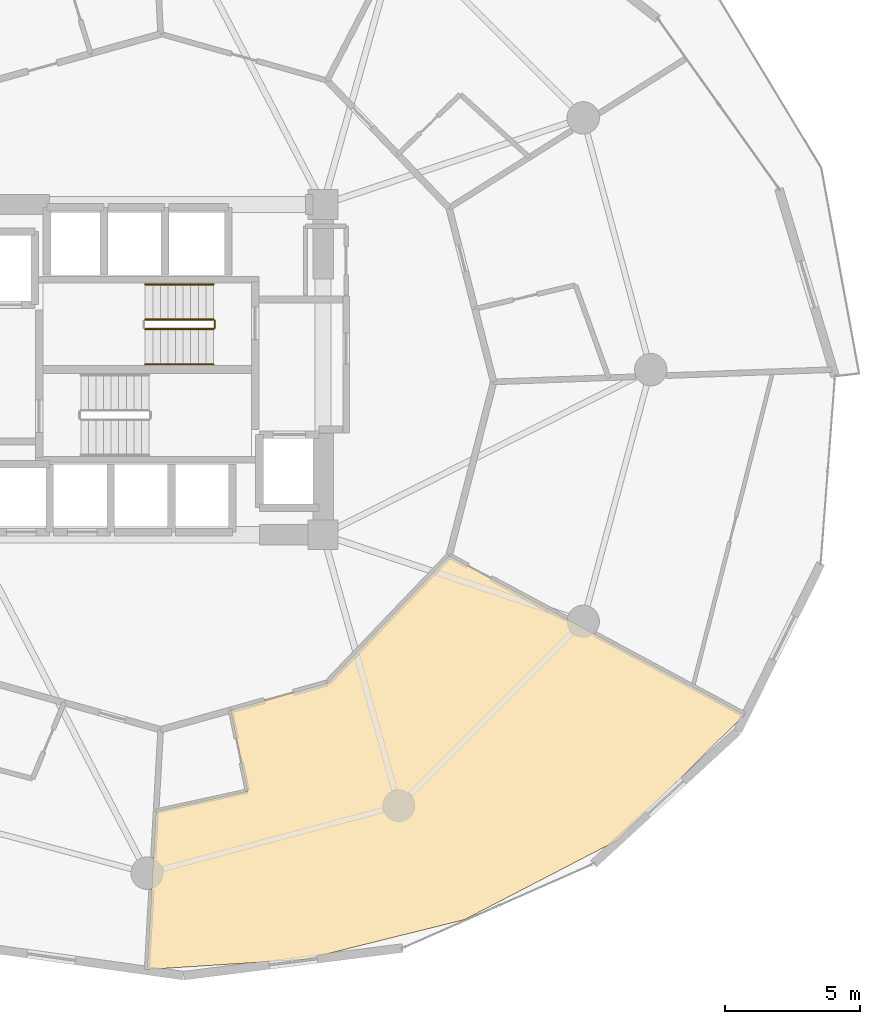
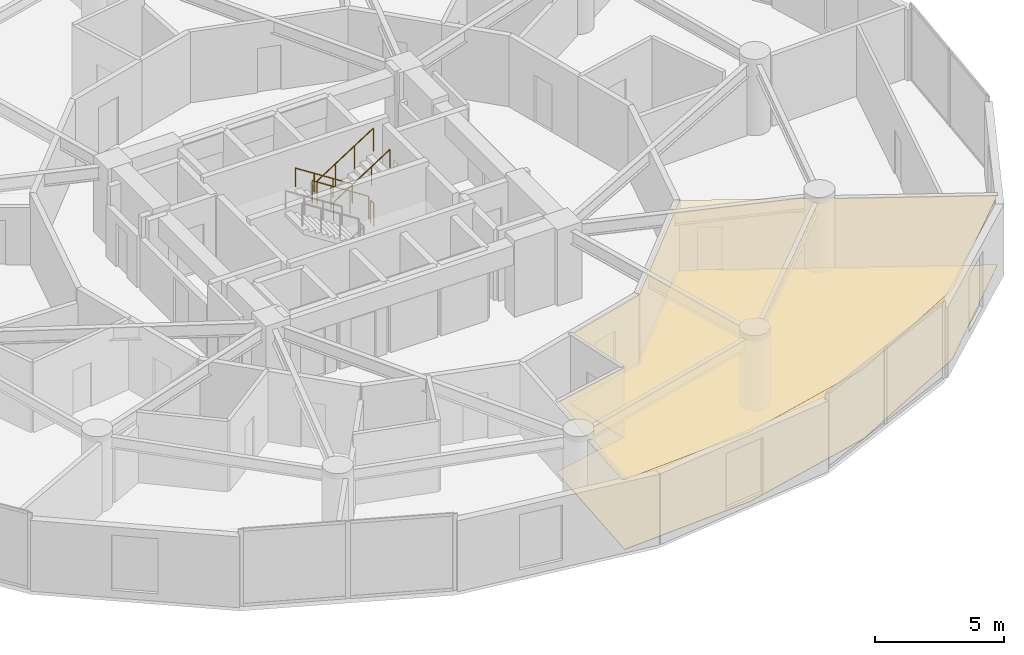
# One storey, part 24 of 25: 5 railings, 2 coverings.
"""IFC4 building model written with IfcOpenShell, lengths in metres."""

from ifc_helpers import new_model, si_unit, direction, frame, origin, origin_2d, place, context, subcontext, project, spatial, polyline, circle, outline, extrude, material, layer, layer_set, type_object, element, save


model = new_model("IFC4")

# Units and contexts
model_context = context("Model", 3, precision=1e-05, world=origin(), true_north=direction((0.0, 1.0)))
body_context = subcontext(model_context, "Body", "Model", "MODEL_VIEW")
ifc_project = project(units=[si_unit("LENGTHUNIT", "METRE"), si_unit("AREAUNIT", "SQUARE_METRE"), si_unit("VOLUMEUNIT", "CUBIC_METRE"), si_unit("PLANEANGLEUNIT", "RADIAN"), si_unit("MASSUNIT", "GRAM", prefix="KILO")], contexts=[model_context])

# Site, building, storey
site_placement = place(None, origin())
site = spatial("IfcSite", under=ifc_project, at=site_placement, CompositionType="ELEMENT")
building_placement = place(site_placement, origin())
building = spatial("IfcBuilding", under=site, at=building_placement, Name="Solvirekh Grand Hotel", CompositionType="ELEMENT")
storey_placement = place(building_placement, frame((0.0, 0.0, 60.800048828125)))
storey = spatial("IfcBuildingStorey", under=building, at=storey_placement, Name="L14", CompositionType="ELEMENT", Elevation=60.800048828125)

# Coverings
ifc_material_1 = material(Name="Acoustic Mineral Ceiling Tile")
ifc_layer_1 = layer(ifc_material_1, 0.02490234375)
ifc_layer_set_1 = layer_set([ifc_layer_1], Name="Acoustic Mineral Ceiling Tile")
covering_type_1 = type_object("IfcCoveringType", Name="Cov_Ceiling_Acoustic", PredefinedType="CEILING", material=ifc_layer_set_1)
covering_1_placement = place(storey_placement, frame((0.0, 0.0, 3.2900390625)))
element("IfcCovering", 1, at=covering_1_placement, inside=storey, type_object=covering_type_1, Name="L14 Diplomatic Suite 1605 Living Room acoustic ceiling", PredefinedType="CEILING", context=body_context, shape_type="SweptSolid", body=[
    extrude(outline(polyline([(3.708984375, -15.571044921875), (0.330078125, -16.31103515625), (0.0, -22.156005859375), (5.8359375, -21.781005859375), (11.72705078125, -20.31298828125), (17.3798828125, -17.3798828125), (22.071044921875, -12.742919921875), (11.152099609375, -6.875), (6.64990234375, -11.577880859375), (3.0830078125, -12.576904296875), (3.708984375, -15.571044921875)])), origin(), (0.0, 0.0, 1.0), 0.017822265625),
])
ifc_material_2 = material(Name="Porcelain Stoneware Flooring", Category="masonry")
ifc_layer_2 = layer(ifc_material_2, 0.030029296875)
ifc_layer_set_2 = layer_set([ifc_layer_2], Name="Porcelain Stoneware Flooring")
covering_type_2 = type_object("IfcCoveringType", Name="Cov_Floor_Stone", PredefinedType="FLOORING", material=ifc_layer_set_2)
covering_2_placement = place(storey_placement, origin())
element("IfcCovering", 2, at=covering_2_placement, inside=storey, type_object=covering_type_2, Name="L14 Diplomatic Suite 1605 Living Room polished granite flooring", PredefinedType="FLOORING", context=body_context, shape_type="SweptSolid", body=[
    extrude(outline(polyline([(3.708984375, -15.571044921875), (0.330078125, -16.31103515625), (0.0, -22.156005859375), (5.8359375, -21.781005859375), (11.72705078125, -20.31298828125), (17.3798828125, -17.3798828125), (22.071044921875, -12.742919921875), (11.152099609375, -6.875), (6.64990234375, -11.577880859375), (3.0830078125, -12.576904296875), (3.708984375, -15.571044921875)])), origin(), (0.0, 0.0, 1.0), 0.02001953125),
])

# Railings
ifc_material_3 = material(Name="Steel S355", Category="steel")
railing_type_1 = type_object("IfcRailingType", Name="Guard_Stair_1100", PredefinedType="GUARDRAIL", material=ifc_material_3)
railing_1_placement = place(storey_placement, frame((2.449951171875, 1.85009765625, 0.179931640625)))
element("IfcRailing", 3, at=railing_1_placement, inside=storey, type_object=railing_type_1, Name="L14 ST-2 stair guard 1", PredefinedType="GUARDRAIL", context=body_context, shape_type="SweptSolid", body=[
    extrude(circle(Radius=0.02392578125, at=origin_2d()), frame((0.0, 0.0, 1.076171875), z_axis=(-0.841162588446, 0.0, 0.540782303519), x_axis=(0.0, -1.0, 0.0)), (0.0, 0.0, 1.0), 2.995849609375),
    extrude(circle(Radius=0.02099609375, at=origin_2d()), origin(), (0.0, 0.0, 1.0), 1.052001953125),
    extrude(circle(Radius=0.02099609375, at=origin_2d()), frame((-0.840087890625, 0.0, 0.5400390625)), (0.0, 0.0, 1.0), 1.052001953125),
    extrude(circle(Radius=0.02099609375, at=origin_2d()), frame((-1.679931640625, 0.0, 1.080078125)), (0.0, 0.0, 1.0), 1.052001953125),
    extrude(circle(Radius=0.02099609375, at=origin_2d()), frame((-2.52001953125, 0.0, 1.6201171875)), (0.0, 0.0, 1.0), 1.052001953125),
])
railing_2_placement = place(storey_placement, frame((-0.070068359375, 1.5, 1.97998046875)))
element("IfcRailing", 4, at=railing_2_placement, inside=storey, type_object=railing_type_1, Name="L14 ST-2 stair guard 3", PredefinedType="GUARDRAIL", context=body_context, shape_type="SweptSolid", body=[
    extrude(circle(Radius=0.02392578125, at=origin_2d()), frame((0.0, 0.0, 1.076171875), z_axis=(0.841199657755, 0.0, 0.540724639528), x_axis=(0.0, 1.0, 0.0)), (0.0, 0.0, 1.0), 2.995849609375),
    extrude(circle(Radius=0.02099609375, at=origin_2d()), origin(), (0.0, 0.0, 1.0), 1.052001953125),
    extrude(circle(Radius=0.02099609375, at=origin_2d()), frame((0.840087890625, 0.0, 0.5400390625)), (0.0, 0.0, 1.0), 1.052001953125),
    extrude(circle(Radius=0.02099609375, at=origin_2d()), frame((1.679931640625, 0.0, 1.079833984375)), (0.0, 0.0, 1.0), 1.052001953125),
    extrude(circle(Radius=0.02099609375, at=origin_2d()), frame((2.52001953125, 0.0, 1.619873046875)), (0.0, 0.0, 1.0), 1.052001953125),
])
railing_3_placement = place(storey_placement, frame((2.5, 1.800048828125, 0.0)))
element("IfcRailing", 5, at=railing_3_placement, inside=storey, type_object=railing_type_1, Name="L14 ST-2 stair guard 4", PredefinedType="GUARDRAIL", context=body_context, shape_type="SweptSolid", body=[
    extrude(circle(Radius=0.02392578125, at=origin_2d()), frame((0.0, 0.0, 1.076171875), z_axis=(0.0, -1.0, 0.0), x_axis=(1.0, 0.0, 0.0)), (0.0, 0.0, 1.0), 0.25),
    extrude(circle(Radius=0.02099609375, at=origin_2d()), origin(), (0.0, 0.0, 1.0), 1.052001953125),
    extrude(circle(Radius=0.02099609375, at=origin_2d()), frame((0.0, -0.25, 0.0)), (0.0, 0.0, 1.0), 1.052001953125),
])
ifc_material_4 = material(Name="Anodized Bronze Aluminium 6063-T6", Category="aluminium")
railing_type_2 = type_object("IfcRailingType", Name="Handrail_Wall_900", PredefinedType="HANDRAIL", material=ifc_material_4)
railing_4_placement = place(storey_placement, frame((2.449951171875, 3.14990234375, 0.179931640625)))
element("IfcRailing", 6, at=railing_4_placement, inside=storey, type_object=railing_type_2, Name="L14 ST-2 stair handrail 1", PredefinedType="HANDRAIL", context=body_context, shape_type="SweptSolid", body=[
    extrude(circle(Radius=0.02392578125, at=origin_2d()), frame((0.0, 0.0, 0.8759765625), z_axis=(-0.841162588446, 0.0, 0.540782303519), x_axis=(0.0, -1.0, 0.0)), (0.0, 0.0, 1.0), 2.995849609375),
    extrude(circle(Radius=0.02099609375, at=origin_2d()), origin(), (0.0, 0.0, 1.0), 0.851806640625),
    extrude(circle(Radius=0.02099609375, at=origin_2d()), frame((-0.840087890625, 0.0, 0.5400390625)), (0.0, 0.0, 1.0), 0.851806640625),
    extrude(circle(Radius=0.02099609375, at=origin_2d()), frame((-1.679931640625, 0.0, 1.080078125)), (0.0, 0.0, 1.0), 0.851806640625),
    extrude(circle(Radius=0.02099609375, at=origin_2d()), frame((-2.52001953125, 0.0, 1.6201171875)), (0.0, 0.0, 1.0), 0.851806640625),
])
railing_5_placement = place(storey_placement, frame((-0.070068359375, 0.199951171875, 1.97998046875)))
element("IfcRailing", 7, at=railing_5_placement, inside=storey, type_object=railing_type_2, Name="L14 ST-2 stair handrail 2", PredefinedType="HANDRAIL", context=body_context, shape_type="SweptSolid", body=[
    extrude(circle(Radius=0.02392578125, at=origin_2d()), frame((0.0, 0.0, 0.8759765625), z_axis=(0.841199657755, 0.0, 0.540724639528), x_axis=(0.0, 1.0, 0.0)), (0.0, 0.0, 1.0), 2.995849609375),
    extrude(circle(Radius=0.02099609375, at=origin_2d()), origin(), (0.0, 0.0, 1.0), 0.851806640625),
    extrude(circle(Radius=0.02099609375, at=origin_2d()), frame((0.840087890625, 0.0, 0.5400390625)), (0.0, 0.0, 1.0), 0.851806640625),
    extrude(circle(Radius=0.02099609375, at=origin_2d()), frame((1.679931640625, 0.0, 1.079833984375)), (0.0, 0.0, 1.0), 0.851806640625),
    extrude(circle(Radius=0.02099609375, at=origin_2d()), frame((2.52001953125, 0.0, 1.619873046875)), (0.0, 0.0, 1.0), 0.851806640625),
])

save(model, "model.ifc")
